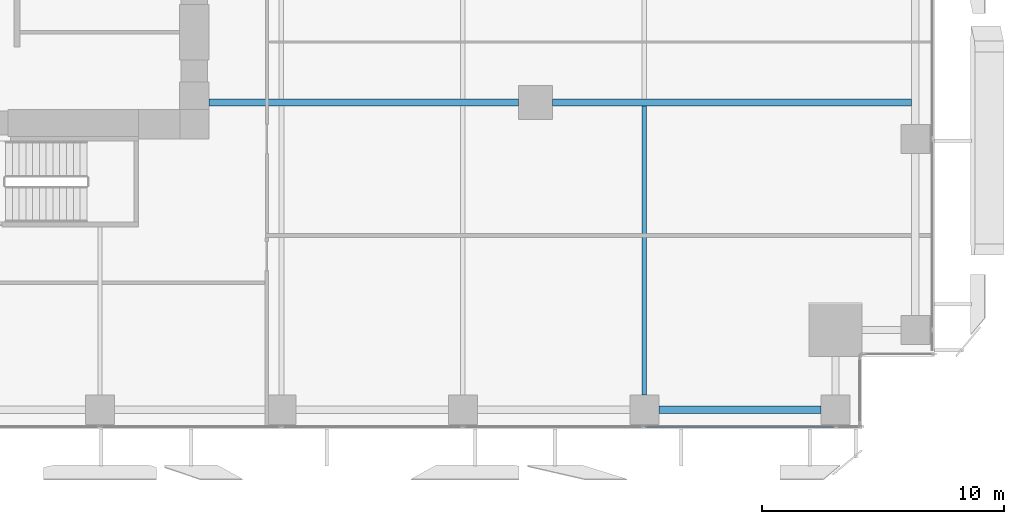
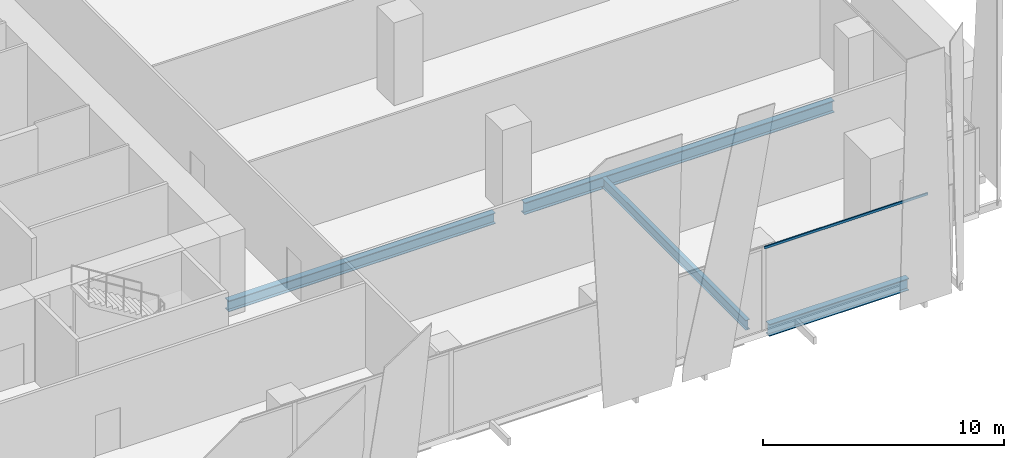
# One storey, part 8 of 36: 4 beams, 1 member, 1 element without a shape of its own.
"""IFC4 building model written with IfcOpenShell, lengths in metres."""

from ifc_helpers import new_model, si_unit, direction, frame, origin, origin_2d, place, context, subcontext, project, spatial, hollow_rectangle, i_section, extrude, source, transform, mapped, material, material_profile, profile_set, type_object, element, aggregate, save


model = new_model("IFC4")

# Units and contexts
model_context = context("Model", 3, precision=1e-05, world=origin(), true_north=direction((0.0, 1.0)))
body_context = subcontext(model_context, "Body", "Model", "MODEL_VIEW")
ifc_project = project(units=[si_unit("LENGTHUNIT", "METRE"), si_unit("AREAUNIT", "SQUARE_METRE"), si_unit("VOLUMEUNIT", "CUBIC_METRE"), si_unit("PLANEANGLEUNIT", "RADIAN"), si_unit("MASSUNIT", "GRAM", prefix="KILO")], contexts=[model_context])

# Site, building, storey
site_placement = place(None, origin())
site = spatial("IfcSite", under=ifc_project, at=site_placement, CompositionType="ELEMENT")
building_placement = place(site_placement, origin())
building = spatial("IfcBuilding", under=site, at=building_placement, Name="Khomas Fold Tower", CompositionType="ELEMENT")
storey_placement = place(building_placement, frame((0.0, 0.0, 46.5)))
storey = spatial("IfcBuildingStorey", under=building, at=storey_placement, Name="L09", CompositionType="ELEMENT", Elevation=46.5)

# Beams
ifc_material_1 = material(Name="Steel S355", Category="steel")
ifc_material_profile_1 = material_profile(ifc_material_1, i_section(OverallWidth=0.300048828125, OverallDepth=0.550048828125, WebThickness=0.014892578125, FlangeThickness=0.029052734375, at=origin_2d()), Name="HE 550 B")
ifc_profile_set_1 = profile_set([ifc_material_profile_1], Name="Steel S355")
beam_type_1 = type_object("IfcBeamType", Name="HE 550 B beam GB4", PredefinedType="BEAM", material=ifc_profile_set_1)
shared_shape_1 = source(origin(), body_context, "Body", "SweptSolid", [
    extrude(i_section(OverallWidth=0.300048828125, OverallDepth=0.550048828125, WebThickness=0.014892578125, FlangeThickness=0.029052734375, at=origin_2d()), origin(), (0.0, 0.0, 1.0), 12.800048828125),
])
beam_1_placement = place(storey_placement, frame((24.0, 13.5, -0.574951171875), z_axis=(1.0, 0.0, 0.0), x_axis=(0.0, 1.0, 0.0)))
element("IfcBeam", 1, at=beam_1_placement, inside=storey, type_object=beam_type_1, Name="GB4", PredefinedType="BEAM", context=body_context, shape_type="MappedRepresentation", body=[
    mapped(shared_shape_1, transform((0.0, 0.0, 0.0))),
])
ifc_material_2 = material(Name="Steel S355", Category="steel")
ifc_material_profile_2 = material_profile(ifc_material_2, i_section(OverallWidth=0.300048828125, OverallDepth=0.60009765625, WebThickness=0.015380859375, FlangeThickness=0.030029296875, at=origin_2d()), Name="HE 600 B")
ifc_profile_set_2 = profile_set([ifc_material_profile_2], Name="Steel S355")
beam_type_2 = type_object("IfcBeamType", Name="HE 600 B spandrel SB1", PredefinedType="SPANDREL", material=ifc_profile_set_2)
shared_shape_2 = source(origin(), body_context, "Body", "SweptSolid", [
    extrude(i_section(OverallWidth=0.300048828125, OverallDepth=0.60009765625, WebThickness=0.015380859375, FlangeThickness=0.030029296875, at=origin_2d()), origin(), (0.0, 0.0, 1.0), 6.699951171875),
])
beam_2_placement = place(storey_placement, frame((42.60009765625, 0.800048828125, -0.60009765625), z_axis=(1.0, 0.0, 0.0), x_axis=(0.0, 1.0, 0.0)))
element("IfcBeam", 2, at=beam_2_placement, inside=storey, type_object=beam_type_2, Name="SB1", PredefinedType="SPANDREL", context=body_context, shape_type="MappedRepresentation", body=[
    mapped(shared_shape_2, transform((0.0, 0.0, 0.0))),
])
ifc_material_3 = material(Name="Steel S355", Category="steel")
ifc_material_profile_3 = material_profile(ifc_material_3, i_section(OverallWidth=0.300048828125, OverallDepth=0.60009765625, WebThickness=0.015380859375, FlangeThickness=0.030029296875, at=origin_2d()), Name="HE 600 B")
ifc_profile_set_3 = profile_set([ifc_material_profile_3], Name="Steel S355")
beam_type_3 = type_object("IfcBeamType", Name="HE 600 B beam GB5", PredefinedType="BEAM", material=ifc_profile_set_3)
shared_shape_3 = source(origin(), body_context, "Body", "SweptSolid", [
    extrude(i_section(OverallWidth=0.300048828125, OverallDepth=0.60009765625, WebThickness=0.015380859375, FlangeThickness=0.030029296875, at=origin_2d()), origin(), (0.0, 0.0, 1.0), 14.85009765625),
])
beam_3_placement = place(storey_placement, frame((38.199951171875, 13.5, -0.60009765625), z_axis=(1.0, 0.0, 0.0), x_axis=(0.0, 1.0, 0.0)))
element("IfcBeam", 3, at=beam_3_placement, inside=storey, type_object=beam_type_3, Name="GB5", PredefinedType="BEAM", context=body_context, shape_type="MappedRepresentation", body=[
    mapped(shared_shape_3, transform((0.0, 0.0, 0.0))),
])
ifc_material_4 = material(Name="Steel S355", Category="steel")
ifc_material_profile_4 = material_profile(ifc_material_4, i_section(OverallWidth=0.199951171875, OverallDepth=0.5, WebThickness=0.01025390625, FlangeThickness=0.01611328125, at=origin_2d()), Name="IPE 500")
ifc_profile_set_4 = profile_set([ifc_material_profile_4], Name="Steel S355")
beam_type_4 = type_object("IfcBeamType", Name="IPE 500 beam JB5", PredefinedType="BEAM", material=ifc_profile_set_4)
shared_shape_4 = source(origin(), body_context, "Body", "SweptSolid", [
    extrude(i_section(OverallWidth=0.199951171875, OverallDepth=0.5, WebThickness=0.01025390625, FlangeThickness=0.01611328125, at=origin_2d()), origin(), (0.0, 0.0, 1.0), 11.9501953125),
])
beam_4_placement = place(storey_placement, frame((42.0, 1.39990234375, -0.550048828125), z_axis=(0.0, 1.0, 0.0), x_axis=(-1.0, 0.0, 0.0)))
element("IfcBeam", 4, at=beam_4_placement, inside=storey, type_object=beam_type_4, Name="JB5", PredefinedType="BEAM", context=body_context, shape_type="MappedRepresentation", body=[
    mapped(shared_shape_4, transform((0.0, 0.0, 0.0))),
])

# Curtain wall, member
ifc_material_5 = material(Name="Aluminium framed double glazing", Category="aluminium")
curtain_wall_type = type_object("IfcCurtainWallType", Name="SK-Unitised clear-glass wall, growing floors CW1", PredefinedType="NOTDEFINED", material=ifc_material_5)
curtain_wall_placement = place(storey_placement, origin())
curtain_wall = element("IfcCurtainWall", 5, at=curtain_wall_placement, inside=storey, type_object=curtain_wall_type, Name="CW1 run L09 00-0", PredefinedType="NOTDEFINED")
ifc_material_6 = material(Name="Aluminium", Category="aluminium")
ifc_material_profile_5 = material_profile(ifc_material_6, hollow_rectangle(XDim=0.06005859375, YDim=0.1201171875, WallThickness=0.00390625, at=origin_2d()), Name="SK-Unitised clear-glass wall, growing floors transom CW1-T")
ifc_profile_set_5 = profile_set([ifc_material_profile_5], Name="Aluminium")
member_type = type_object("IfcMemberType", Name="SK-Unitised clear-glass wall, growing floors transom CW1-T", PredefinedType="USERDEFINED", material=ifc_profile_set_5)
shared_shape_5 = source(origin(), body_context, "Body", "SweptSolid", [
    extrude(hollow_rectangle(XDim=0.06005859375, YDim=0.1201171875, WallThickness=0.00390625, at=origin_2d()), origin(), (0.0, 0.0, 1.0), 7.840087890625),
])
member_placement = place(storey_placement, frame((42.030029296875, 0.10009765625, 4.139892578125), z_axis=(1.0, 0.0, 0.0), x_axis=(0.0, 1.0, 0.0)))
member = element("IfcMember", 6, at=member_placement, type_object=member_type, Name="CW1 transom 7", ObjectType="TRANSOM", PredefinedType="USERDEFINED", context=body_context, shape_type="MappedRepresentation", body=[
    mapped(shared_shape_5, transform((0.0, 0.0, 0.0))),
])
aggregate(curtain_wall, [member])

save(model, "model.ifc")
